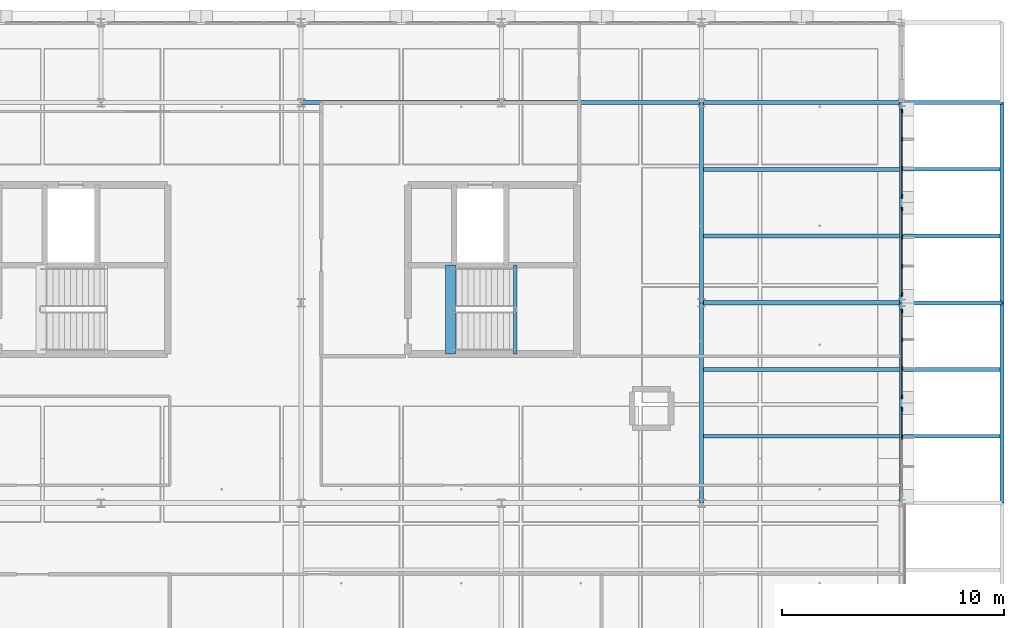
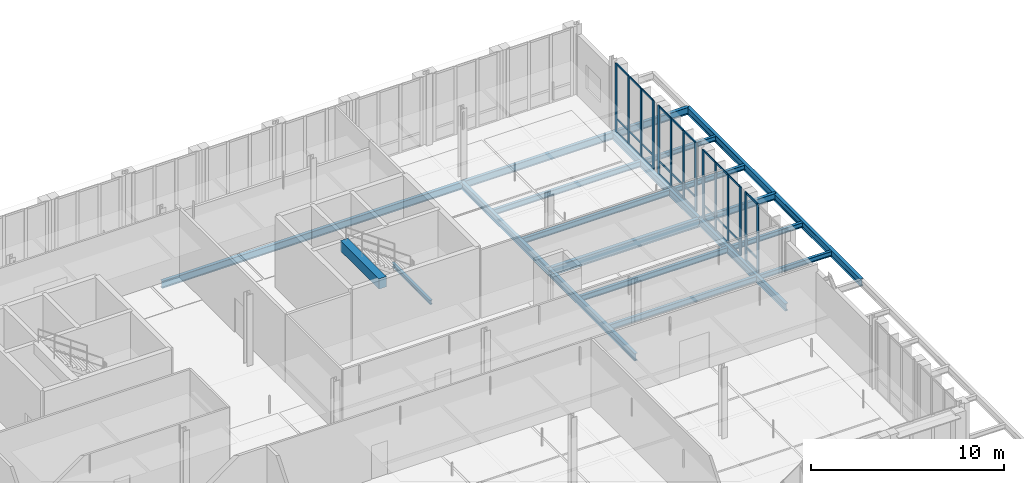
# One storey, part 69 of 140: 44 members, 22 beams, 4 elements without a shape of their own.
"""IFC4 building model written with IfcOpenShell, lengths in metres."""

import ifcopenshell
import ifcopenshell.guid

model = None  # the IFC model being written
_history = None  # IfcOwnerHistory: only IFC2X3 demands one
_inside = {}  # id of a spatial element -> (the spatial element, [elements in it])
_under = {}  # id of a project, library or spatial element -> (it, [spatial elements below it])
_declared = {}  # id of a project -> (the project, [libraries it declares])
_typed = {}  # id of a type object -> (the type object, [elements of that type])
_made_of = {}  # id of a material, layer set ... -> (it, [elements and type objects made of it])


def new_model(schema):
    """Start an empty IFC model of exactly this schema.

    Asked for "IFC4X3", IfcOpenShell would pick the latest addendum, in which some entities
    have other attributes; the version numbers below select the first issue.
    IFC2X3 requires an IfcOwnerHistory on every rooted entity: one is made here for all.
    """
    global model, _history
    if schema == "IFC4X3":
        model = ifcopenshell.file(schema_version=(4, 3, 0, 0))
    else:
        model = ifcopenshell.file(schema=schema)
    _inside.clear()
    _under.clear()
    _declared.clear()
    _typed.clear()
    _made_of.clear()
    _history = None
    if model.schema == "IFC2X3":
        org = make("IfcOrganization", Name="unknown")
        user = make(
            "IfcPersonAndOrganization",
            ThePerson=make("IfcPerson", FamilyName="unknown"),
            TheOrganization=org,
        )
        app = make(
            "IfcApplication",
            ApplicationDeveloper=org,
            Version="unknown",
            ApplicationFullName="unknown",
            ApplicationIdentifier="unknown",
        )
        _history = make(
            "IfcOwnerHistory",
            OwningUser=user,
            OwningApplication=app,
            ChangeAction="ADDED",
            CreationDate=0,
        )
    return model


def make(cls, **values):
    """One entity of the class cls with the attributes given. An attribute that is None is left unset."""
    return model.create_entity(
        cls, **{name: value for name, value in values.items() if value is not None}
    )


def rooted(cls, **values):
    """An entity with a GlobalId (a new one), such as an element, a storey or a relation."""
    return make(cls, GlobalId=ifcopenshell.guid.new(), OwnerHistory=_history, **values)


def si_unit(unit_type, name, prefix=None):
    """IfcSIUnit, for example si_unit("LENGTHUNIT", "METRE", prefix="MILLI")."""
    return make("IfcSIUnit", UnitType=unit_type, Prefix=prefix, Name=name)


def assignment(units):
    """IfcUnitAssignment: the units of a project."""
    return None if units is None else make("IfcUnitAssignment", Units=units)


def point(xyz):
    """IfcCartesianPoint."""
    return None if xyz is None else make("IfcCartesianPoint", Coordinates=xyz)


def direction(xyz):
    """IfcDirection."""
    return None if xyz is None else make("IfcDirection", DirectionRatios=xyz)


def frame(location, z_axis=None, x_axis=None):
    """IfcAxis2Placement3D, a coordinate frame: its origin and axes. An axis left out is left unset."""
    return make(
        "IfcAxis2Placement3D",
        Location=point(location),
        Axis=direction(z_axis),
        RefDirection=direction(x_axis),
    )


def frame_2d(location, x_axis=None):
    """IfcAxis2Placement2D, a coordinate frame in the plane: its origin and x axis."""
    return make(
        "IfcAxis2Placement2D", Location=point(location), RefDirection=direction(x_axis)
    )


def origin():
    """The frame at (0, 0, 0) with its axes left unset."""
    return frame((0.0, 0.0, 0.0))


def origin_2d():
    """The frame at (0, 0) in the plane with its x axis left unset."""
    return frame_2d((0.0, 0.0))


def place(relative_to, where):
    """IfcLocalPlacement: puts the frame where relative to a parent placement (None: the world)."""
    return make(
        "IfcLocalPlacement", PlacementRelTo=relative_to, RelativePlacement=where
    )


def context(
    kind, dimensions, precision=None, world=None, true_north=None, identifier=None
):
    """IfcGeometricRepresentationContext, for example the 3D "Model" context."""
    return make(
        "IfcGeometricRepresentationContext",
        ContextIdentifier=identifier,
        ContextType=kind,
        CoordinateSpaceDimension=dimensions,
        Precision=precision,
        WorldCoordinateSystem=world,
        TrueNorth=true_north,
    )


def subcontext(parent, identifier, kind, view, scale=None):
    """IfcGeometricRepresentationSubContext, for example "Body" below "Model"."""
    return make(
        "IfcGeometricRepresentationSubContext",
        ContextIdentifier=identifier,
        ContextType=kind,
        ParentContext=parent,
        TargetScale=scale,
        TargetView=view,
    )


def project(units=None, contexts=None):
    """IfcProject with its units and contexts."""
    return rooted(
        "IfcProject",
        Name="project",
        RepresentationContexts=contexts,
        UnitsInContext=assignment(units),
    )


def spatial(cls, under=None, at=None, **own):
    """A site, building, storey or space (cls), placed at a placement, below another one or the project."""
    s = rooted(cls, ObjectPlacement=at, **own)
    if under is not None:
        _under.setdefault(under.id(), (under, []))[1].append(s)
    return s


def profile(cls, at=None, kind="AREA", **sizes):
    """A parametric profile (cls). Its sizes go by their IFC names, for example OverallWidth=200.0."""
    return make(cls, ProfileType=kind, Position=at, **sizes)


def rectangle(**sizes):
    """IfcRectangleProfileDef."""
    return profile("IfcRectangleProfileDef", **sizes)


def i_section(**sizes):
    """IfcIShapeProfileDef."""
    return profile("IfcIShapeProfileDef", **sizes)


def extrude(swept, where, along, depth):
    """IfcExtrudedAreaSolid: the profile swept, set in the frame where, extruded along a direction by depth."""
    return make(
        "IfcExtrudedAreaSolid",
        SweptArea=swept,
        Position=where,
        ExtrudedDirection=direction(along),
        Depth=depth,
    )


def shape(context_of_items, identifier, shape_type, items):
    """IfcShapeRepresentation: the items that make up one representation, for example the "Body"."""
    return make(
        "IfcShapeRepresentation",
        ContextOfItems=context_of_items,
        RepresentationIdentifier=identifier,
        RepresentationType=shape_type,
        Items=items,
    )


def material(Name=None, Category=None):
    """IfcMaterial."""
    return make("IfcMaterial", Name=Name, Category=Category)


def material_profile(
    of_material, cross_section, Name=None, Category=None, Priority=None
):
    """IfcMaterialProfile: a cross section and its material."""
    return make(
        "IfcMaterialProfile",
        Name=Name,
        Material=of_material,
        Profile=cross_section,
        Priority=Priority,
        Category=Category,
    )


def profile_set(profiles, Name=None, composite=None):
    """IfcMaterialProfileSet."""
    return make(
        "IfcMaterialProfileSet",
        Name=Name,
        MaterialProfiles=profiles,
        CompositeProfile=composite,
    )


def made_of(thing, what):
    """Note that an element or type object is made of a material, layer set ...; save() writes the relation."""
    if what is not None:
        _made_of.setdefault(what.id(), (what, []))[1].append(thing)
    return thing


def type_object(cls, material=None, **own):
    """A type object (cls), such as IfcWallType, which elements share."""
    return made_of(rooted(cls, **own), material)


def element(
    cls,
    number,
    at=None,
    inside=None,
    cuts=None,
    type_object=None,
    material=None,
    context=None,
    identifier="Body",
    shape_type=None,
    held_by="IfcProductDefinitionShape",
    body=None,
    shapes=None,
    **own,
):
    """One element of the class cls, such as IfcWall. Its Tag is "e" and its number.

    at: its placement. inside: the storey or other place that contains it. cuts: it is an
    opening in that element (IfcRelVoidsElement). A single representation is given by context,
    identifier, shape_type and body (its items); several are given by shapes. held_by: the class
    of the entity that holds the representations. save() writes the other relations.
    """
    e = rooted(cls, Tag="e%d" % number, ObjectPlacement=at, **own)
    if body is not None:
        shapes = [shape(context, identifier, shape_type, body)]
    if shapes is not None:
        e.Representation = make(held_by, Representations=shapes)
    if inside is not None:
        _inside.setdefault(inside.id(), (inside, []))[1].append(e)
    if cuts is not None:
        rooted(
            "IfcRelVoidsElement", RelatingBuildingElement=cuts, RelatedOpeningElement=e
        )
    if type_object is not None:
        _typed.setdefault(type_object.id(), (type_object, []))[1].append(e)
    return made_of(e, material)


def aggregate(whole, parts):
    """IfcRelAggregates: a whole, such as a stair, and the parts it consists of."""
    return rooted("IfcRelAggregates", RelatingObject=whole, RelatedObjects=parts)


def save(model, path):
    """Write the relations noted so far, then the file.

    IfcRelAggregates (storeys below a building ...), IfcRelContainedInSpatialStructure (elements
    in a storey), IfcRelDefinesByType, IfcRelAssociatesMaterial and IfcRelDeclares: one each for
    every whole, place, type object, material and project.
    """
    for whole, parts in _under.values():
        aggregate(whole, parts)
    for where, things in _inside.values():
        rooted(
            "IfcRelContainedInSpatialStructure",
            RelatedElements=things,
            RelatingStructure=where,
        )
    for kind, things in _typed.values():
        rooted("IfcRelDefinesByType", RelatedObjects=things, RelatingType=kind)
    for what, things in _made_of.values():
        rooted("IfcRelAssociatesMaterial", RelatedObjects=things, RelatingMaterial=what)
    for by, libraries in _declared.values():
        rooted("IfcRelDeclares", RelatingContext=by, RelatedDefinitions=libraries)
    model.write(path)


model = new_model("IFC4")

# Units and contexts
model_context = context("Model", 3, precision=1e-05, world=origin(), true_north=direction((0.0, 1.0)))
body_context = subcontext(model_context, "Body", "Model", "MODEL_VIEW")
ifc_project = project(units=[si_unit("LENGTHUNIT", "METRE"), si_unit("AREAUNIT", "SQUARE_METRE"), si_unit("VOLUMEUNIT", "CUBIC_METRE"), si_unit("PLANEANGLEUNIT", "RADIAN"), si_unit("MASSUNIT", "GRAM", prefix="KILO"), si_unit("THERMODYNAMICTEMPERATUREUNIT", "KELVIN"), si_unit("POWERUNIT", "WATT")], contexts=[model_context])

# Site, building, storey
site_placement = place(None, origin())
site = spatial("IfcSite", under=ifc_project, at=site_placement, CompositionType="ELEMENT")
building_placement = place(site_placement, origin())
building = spatial("IfcBuilding", under=site, at=building_placement, Name="Tallowbark Science Centre", CompositionType="ELEMENT")
storey_placement = place(building_placement, frame((0.0, 0.0, 9.89990234375)))
storey = spatial("IfcBuildingStorey", under=building, at=storey_placement, Name="L02", CompositionType="ELEMENT", Elevation=9.89990234375)

# Beams
ifc_material_1 = material(Name="Concrete Grade N40 (40 MPa)", Category="concrete")
ifc_material_profile_1 = material_profile(ifc_material_1, rectangle(XDim=0.449951171875, YDim=0.64990234375, at=origin_2d()), Name="RC450x650")
ifc_profile_set_1 = profile_set([ifc_material_profile_1], Name="Concrete Grade N40 (40 MPa)")
beam_type_1 = type_object("IfcBeamType", Name="BM-GB2-N40", PredefinedType="BEAM", material=ifc_profile_set_1)
beam_1_placement = place(storey_placement, frame((137.2099609375, 96.699951171875, 4.175048828125), z_axis=(0.0, 1.0, 0.0), x_axis=(-1.0, 0.0, 0.0)))
element("IfcBeam", 1, at=beam_1_placement, inside=storey, type_object=beam_type_1, Name="Stair ST-04 Landing Nosing Beam L02", PredefinedType="BEAM", context=body_context, shape_type="SweptSolid", body=[
    extrude(rectangle(XDim=0.449951171875, YDim=0.64990234375, at=origin_2d()), origin(), (0.0, 0.0, 1.0), 3.9951171875),
])
ifc_material_2 = material(Name="Structural Steel Grade 300PLUS (300 MPa)", Category="steel")
ifc_material_profile_2 = material_profile(ifc_material_2, i_section(OverallWidth=0.177734375, OverallDepth=0.406494140625, WebThickness=0.0078125, FlangeThickness=0.0126953125, FilletRadius=0.011474609375, at=origin_2d()), Name="410UB59.7")
ifc_profile_set_2 = profile_set([ifc_material_profile_2], Name="Structural Steel Grade 300PLUS (300 MPa)")
beam_type_2 = type_object("IfcBeamType", Name="BM-UB410", PredefinedType="BEAM", material=ifc_profile_set_2)
beam_2_placement = place(storey_placement, frame((157.5, 99.0, -0.383056640625), z_axis=(1.0, 0.0, 0.0), x_axis=(0.0, 1.0, 0.0)))
element("IfcBeam", 2, at=beam_2_placement, inside=storey, type_object=beam_type_2, Name="Primary Girder GRDX-L02-1575-1620-990", PredefinedType="BEAM", context=body_context, shape_type="SweptSolid", body=[
    extrude(i_section(OverallWidth=0.177734375, OverallDepth=0.406494140625, WebThickness=0.0078125, FlangeThickness=0.0126953125, FilletRadius=0.011474609375, at=origin_2d()), origin(), (0.0, 0.0, 1.0), 4.5),
])
ifc_material_profile_3 = material_profile(ifc_material_2, i_section(OverallWidth=0.208984375, OverallDepth=0.532958984375, WebThickness=0.01025390625, FlangeThickness=0.015625, FilletRadius=0.013916015625, at=origin_2d()), Name="530UB92.4")
ifc_profile_set_3 = profile_set([ifc_material_profile_3], Name="Structural Steel Grade 300PLUS (300 MPa)")
beam_type_3 = type_object("IfcBeamType", Name="BM-UB530A", PredefinedType="BEAM", material=ifc_profile_set_3)
beam_3_placement = place(storey_placement, frame((148.5, 99.0, -0.4462890625), z_axis=(1.0, 0.0, 0.0), x_axis=(0.0, 1.0, 0.0)))
element("IfcBeam", 3, at=beam_3_placement, inside=storey, type_object=beam_type_3, Name="Primary Girder GRDX-L02-1485-1575-990", PredefinedType="BEAM", context=body_context, shape_type="SweptSolid", body=[
    extrude(i_section(OverallWidth=0.208984375, OverallDepth=0.532958984375, WebThickness=0.01025390625, FlangeThickness=0.015625, FilletRadius=0.013916015625, at=origin_2d()), origin(), (0.0, 0.0, 1.0), 9.0),
])

# Curtain wall, members
ifc_material_3 = material(Name="Unitised Thermally Broken Aluminium and Low-E Double Glazing", Category="aluminium")
curtain_wall_type = type_object("IfcCurtainWallType", Name="CW-SYS-FACADE", PredefinedType="NOTDEFINED", material=ifc_material_3)
curtain_wall_1_placement = place(storey_placement, origin())
curtain_wall_1 = element("IfcCurtainWall", 4, at=curtain_wall_1_placement, inside=storey, type_object=curtain_wall_type, Name="Unitised Curtain Wall OBS-E-90A CW-L02-160", PredefinedType="NOTDEFINED")
ifc_material_4 = material(Name="Anodised Architectural Aluminium Alloy 6063-T6", Category="aluminium")
ifc_material_profile_4 = material_profile(ifc_material_4, rectangle(XDim=0.06494140625, YDim=0.179931640625, at=origin_2d()), Name="ALU65x180")
ifc_profile_set_4 = profile_set([ifc_material_profile_4], Name="Anodised Architectural Aluminium Alloy 6063-T6")
member_type_1 = type_object("IfcMemberType", Name="CWM-MUL-220", PredefinedType="MULLION", material=ifc_profile_set_4)
member_1_placement = place(storey_placement, frame((157.5, 92.949951171875, 0.0), z_axis=(0.0, 0.0, 1.0), x_axis=(-1.0, 0.0, 0.0)))
member_1 = element("IfcMember", 5, at=member_1_placement, type_object=member_type_1, Name="CW-01 mullion 3", PredefinedType="MULLION", context=body_context, shape_type="SweptSolid", body=[
    extrude(rectangle(XDim=0.06494140625, YDim=0.179931640625, at=origin_2d()), origin(), (0.0, 0.0, 1.0), 4.320068359375),
])
member_2_placement = place(storey_placement, frame((157.5, 94.217529296875, 0.0), z_axis=(0.0, 0.0, 1.0), x_axis=(-1.0, 0.0, 0.0)))
member_2 = element("IfcMember", 6, at=member_2_placement, type_object=member_type_1, Name="CW-01 mullion 4", PredefinedType="MULLION", context=body_context, shape_type="SweptSolid", body=[
    extrude(rectangle(XDim=0.06494140625, YDim=0.179931640625, at=origin_2d()), origin(), (0.0, 0.0, 1.0), 4.320068359375),
])

curtain_wall_2_placement = place(storey_placement, origin())
curtain_wall_2 = element("IfcCurtainWall", 7, at=curtain_wall_2_placement, inside=storey, type_object=curtain_wall_type, Name="Unitised Curtain Wall OBS-E-90B CW-L02-161", PredefinedType="NOTDEFINED")
member_3_placement = place(storey_placement, frame((157.5, 94.782470703125, 0.0), z_axis=(0.0, 0.0, 1.0), x_axis=(-1.0, 0.0, 0.0)))
member_3 = element("IfcMember", 8, at=member_3_placement, type_object=member_type_1, Name="CW-01 mullion 1", PredefinedType="MULLION", context=body_context, shape_type="SweptSolid", body=[
    extrude(rectangle(XDim=0.06494140625, YDim=0.179931640625, at=origin_2d()), origin(), (0.0, 0.0, 1.0), 4.320068359375),
])
member_4_placement = place(storey_placement, frame((157.5, 96.050048828125, 0.0), z_axis=(0.0, 0.0, 1.0), x_axis=(-1.0, 0.0, 0.0)))
member_4 = element("IfcMember", 9, at=member_4_placement, type_object=member_type_1, Name="CW-01 mullion 2", PredefinedType="MULLION", context=body_context, shape_type="SweptSolid", body=[
    extrude(rectangle(XDim=0.06494140625, YDim=0.179931640625, at=origin_2d()), origin(), (0.0, 0.0, 1.0), 4.320068359375),
])
member_5_placement = place(storey_placement, frame((157.5, 97.35009765625, 0.0), z_axis=(0.0, 0.0, 1.0), x_axis=(-1.0, 0.0, 0.0)))
member_5 = element("IfcMember", 10, at=member_5_placement, type_object=member_type_1, Name="CW-01 mullion 3", PredefinedType="MULLION", context=body_context, shape_type="SweptSolid", body=[
    extrude(rectangle(XDim=0.06494140625, YDim=0.179931640625, at=origin_2d()), origin(), (0.0, 0.0, 1.0), 4.320068359375),
])
member_6_placement = place(storey_placement, frame((157.5, 98.617431640625, 0.0), z_axis=(0.0, 0.0, 1.0), x_axis=(-1.0, 0.0, 0.0)))
member_6 = element("IfcMember", 11, at=member_6_placement, type_object=member_type_1, Name="CW-01 mullion 4", PredefinedType="MULLION", context=body_context, shape_type="SweptSolid", body=[
    extrude(rectangle(XDim=0.06494140625, YDim=0.179931640625, at=origin_2d()), origin(), (0.0, 0.0, 1.0), 4.320068359375),
])

curtain_wall_3_placement = place(storey_placement, origin())
curtain_wall_3 = element("IfcCurtainWall", 12, at=curtain_wall_3_placement, inside=storey, type_object=curtain_wall_type, Name="Unitised Curtain Wall OBS-E-99A CW-L02-162", PredefinedType="NOTDEFINED")
member_7_placement = place(storey_placement, frame((157.5, 99.382568359375, 0.0), z_axis=(0.0, 0.0, 1.0), x_axis=(-1.0, 0.0, 0.0)))
member_7 = element("IfcMember", 13, at=member_7_placement, type_object=member_type_1, Name="CW-01 mullion 1", PredefinedType="MULLION", context=body_context, shape_type="SweptSolid", body=[
    extrude(rectangle(XDim=0.06494140625, YDim=0.179931640625, at=origin_2d()), origin(), (0.0, 0.0, 1.0), 4.320068359375),
])
member_8_placement = place(storey_placement, frame((157.5, 100.64990234375, 0.0), z_axis=(0.0, 0.0, 1.0), x_axis=(-1.0, 0.0, 0.0)))
member_8 = element("IfcMember", 14, at=member_8_placement, type_object=member_type_1, Name="CW-01 mullion 2", PredefinedType="MULLION", context=body_context, shape_type="SweptSolid", body=[
    extrude(rectangle(XDim=0.06494140625, YDim=0.179931640625, at=origin_2d()), origin(), (0.0, 0.0, 1.0), 4.320068359375),
])
member_9_placement = place(storey_placement, frame((157.5, 101.949951171875, 0.0), z_axis=(0.0, 0.0, 1.0), x_axis=(-1.0, 0.0, 0.0)))
member_9 = element("IfcMember", 15, at=member_9_placement, type_object=member_type_1, Name="CW-01 mullion 3", PredefinedType="MULLION", context=body_context, shape_type="SweptSolid", body=[
    extrude(rectangle(XDim=0.06494140625, YDim=0.179931640625, at=origin_2d()), origin(), (0.0, 0.0, 1.0), 4.320068359375),
])
member_10_placement = place(storey_placement, frame((157.5, 103.217529296875, 0.0), z_axis=(0.0, 0.0, 1.0), x_axis=(-1.0, 0.0, 0.0)))
member_10 = element("IfcMember", 16, at=member_10_placement, type_object=member_type_1, Name="CW-01 mullion 4", PredefinedType="MULLION", context=body_context, shape_type="SweptSolid", body=[
    extrude(rectangle(XDim=0.06494140625, YDim=0.179931640625, at=origin_2d()), origin(), (0.0, 0.0, 1.0), 4.320068359375),
])

curtain_wall_4_placement = place(storey_placement, origin())
curtain_wall_4 = element("IfcCurtainWall", 17, at=curtain_wall_4_placement, inside=storey, type_object=curtain_wall_type, Name="Unitised Curtain Wall OBS-E-99B CW-L02-163", PredefinedType="NOTDEFINED")
member_11_placement = place(storey_placement, frame((157.5, 103.782470703125, 0.0), z_axis=(0.0, 0.0, 1.0), x_axis=(-1.0, 0.0, 0.0)))
member_11 = element("IfcMember", 18, at=member_11_placement, type_object=member_type_1, Name="CW-01 mullion 1", PredefinedType="MULLION", context=body_context, shape_type="SweptSolid", body=[
    extrude(rectangle(XDim=0.06494140625, YDim=0.179931640625, at=origin_2d()), origin(), (0.0, 0.0, 1.0), 4.320068359375),
])
member_12_placement = place(storey_placement, frame((157.5, 105.050048828125, 0.0), z_axis=(0.0, 0.0, 1.0), x_axis=(-1.0, 0.0, 0.0)))
member_12 = element("IfcMember", 19, at=member_12_placement, type_object=member_type_1, Name="CW-01 mullion 2", PredefinedType="MULLION", context=body_context, shape_type="SweptSolid", body=[
    extrude(rectangle(XDim=0.06494140625, YDim=0.179931640625, at=origin_2d()), origin(), (0.0, 0.0, 1.0), 4.320068359375),
])
member_13_placement = place(storey_placement, frame((157.5, 106.35009765625, 0.0), z_axis=(0.0, 0.0, 1.0), x_axis=(-1.0, 0.0, 0.0)))
member_13 = element("IfcMember", 20, at=member_13_placement, type_object=member_type_1, Name="CW-01 mullion 3", PredefinedType="MULLION", context=body_context, shape_type="SweptSolid", body=[
    extrude(rectangle(XDim=0.06494140625, YDim=0.179931640625, at=origin_2d()), origin(), (0.0, 0.0, 1.0), 4.320068359375),
])
member_14_placement = place(storey_placement, frame((157.5, 107.617431640625, 0.0), z_axis=(0.0, 0.0, 1.0), x_axis=(-1.0, 0.0, 0.0)))
member_14 = element("IfcMember", 21, at=member_14_placement, type_object=member_type_1, Name="CW-01 mullion 4", PredefinedType="MULLION", context=body_context, shape_type="SweptSolid", body=[
    extrude(rectangle(XDim=0.06494140625, YDim=0.179931640625, at=origin_2d()), origin(), (0.0, 0.0, 1.0), 4.320068359375),
])

# Member
ifc_material_profile_5 = material_profile(ifc_material_4, rectangle(XDim=0.054931640625, YDim=0.1201171875, at=origin_2d()), Name="ALU55x120")
ifc_profile_set_5 = profile_set([ifc_material_profile_5], Name="Anodised Architectural Aluminium Alloy 6063-T6")
member_type_2 = type_object("IfcMemberType", Name="CWM-TRN-150", PredefinedType="USERDEFINED", material=ifc_profile_set_5)
member_15_placement = place(storey_placement, frame((157.5, 92.982421875, 0.027587890625), z_axis=(0.0, 1.0, 0.0), x_axis=(-1.0, 0.0, 0.0)))
member_15 = element("IfcMember", 22, at=member_15_placement, type_object=member_type_2, Name="CW-01 transom 3.1", ObjectType="TRANSOM", PredefinedType="USERDEFINED", context=body_context, shape_type="SweptSolid", body=[
    extrude(rectangle(XDim=0.054931640625, YDim=0.1201171875, at=origin_2d()), origin(), (0.0, 0.0, 1.0), 1.20263671875),
])

member_16_placement = place(storey_placement, frame((157.5, 92.982421875, 0.85009765625), z_axis=(0.0, 1.0, 0.0), x_axis=(-1.0, 0.0, 0.0)))
member_16 = element("IfcMember", 23, at=member_16_placement, type_object=member_type_2, Name="CW-01 transom 3.2", ObjectType="TRANSOM", PredefinedType="USERDEFINED", context=body_context, shape_type="SweptSolid", body=[
    extrude(rectangle(XDim=0.054931640625, YDim=0.1201171875, at=origin_2d()), origin(), (0.0, 0.0, 1.0), 1.20263671875),
])

member_17_placement = place(storey_placement, frame((157.5, 92.982421875, 4.29248046875), z_axis=(0.0, 1.0, 0.0), x_axis=(-1.0, 0.0, 0.0)))
member_17 = element("IfcMember", 24, at=member_17_placement, type_object=member_type_2, Name="CW-01 transom 3.3", ObjectType="TRANSOM", PredefinedType="USERDEFINED", context=body_context, shape_type="SweptSolid", body=[
    extrude(rectangle(XDim=0.054931640625, YDim=0.1201171875, at=origin_2d()), origin(), (0.0, 0.0, 1.0), 1.20263671875),
])

aggregate(curtain_wall_1, [member_1, member_2, member_15, member_16, member_17])

member_18_placement = place(storey_placement, frame((157.5, 94.81494140625, 0.027587890625), z_axis=(0.0, 1.0, 0.0), x_axis=(-1.0, 0.0, 0.0)))
member_18 = element("IfcMember", 25, at=member_18_placement, type_object=member_type_2, Name="CW-01 transom 1.1", ObjectType="TRANSOM", PredefinedType="USERDEFINED", context=body_context, shape_type="SweptSolid", body=[
    extrude(rectangle(XDim=0.054931640625, YDim=0.1201171875, at=origin_2d()), origin(), (0.0, 0.0, 1.0), 1.20263671875),
])

member_19_placement = place(storey_placement, frame((157.5, 94.81494140625, 0.85009765625), z_axis=(0.0, 1.0, 0.0), x_axis=(-1.0, 0.0, 0.0)))
member_19 = element("IfcMember", 26, at=member_19_placement, type_object=member_type_2, Name="CW-01 transom 1.2", ObjectType="TRANSOM", PredefinedType="USERDEFINED", context=body_context, shape_type="SweptSolid", body=[
    extrude(rectangle(XDim=0.054931640625, YDim=0.1201171875, at=origin_2d()), origin(), (0.0, 0.0, 1.0), 1.20263671875),
])

member_20_placement = place(storey_placement, frame((157.5, 94.81494140625, 4.29248046875), z_axis=(0.0, 1.0, 0.0), x_axis=(-1.0, 0.0, 0.0)))
member_20 = element("IfcMember", 27, at=member_20_placement, type_object=member_type_2, Name="CW-01 transom 1.3", ObjectType="TRANSOM", PredefinedType="USERDEFINED", context=body_context, shape_type="SweptSolid", body=[
    extrude(rectangle(XDim=0.054931640625, YDim=0.1201171875, at=origin_2d()), origin(), (0.0, 0.0, 1.0), 1.20263671875),
])

member_21_placement = place(storey_placement, frame((157.5, 96.08251953125, 0.027587890625), z_axis=(0.0, 1.0, 0.0), x_axis=(-1.0, 0.0, 0.0)))
member_21 = element("IfcMember", 28, at=member_21_placement, type_object=member_type_2, Name="CW-01 transom 2.1", ObjectType="TRANSOM", PredefinedType="USERDEFINED", context=body_context, shape_type="SweptSolid", body=[
    extrude(rectangle(XDim=0.054931640625, YDim=0.1201171875, at=origin_2d()), origin(), (0.0, 0.0, 1.0), 1.23486328125),
])

member_22_placement = place(storey_placement, frame((157.5, 96.08251953125, 0.85009765625), z_axis=(0.0, 1.0, 0.0), x_axis=(-1.0, 0.0, 0.0)))
member_22 = element("IfcMember", 29, at=member_22_placement, type_object=member_type_2, Name="CW-01 transom 2.2", ObjectType="TRANSOM", PredefinedType="USERDEFINED", context=body_context, shape_type="SweptSolid", body=[
    extrude(rectangle(XDim=0.054931640625, YDim=0.1201171875, at=origin_2d()), origin(), (0.0, 0.0, 1.0), 1.23486328125),
])

member_23_placement = place(storey_placement, frame((157.5, 96.08251953125, 4.29248046875), z_axis=(0.0, 1.0, 0.0), x_axis=(-1.0, 0.0, 0.0)))
member_23 = element("IfcMember", 30, at=member_23_placement, type_object=member_type_2, Name="CW-01 transom 2.3", ObjectType="TRANSOM", PredefinedType="USERDEFINED", context=body_context, shape_type="SweptSolid", body=[
    extrude(rectangle(XDim=0.054931640625, YDim=0.1201171875, at=origin_2d()), origin(), (0.0, 0.0, 1.0), 1.23486328125),
])

member_24_placement = place(storey_placement, frame((157.5, 97.382568359375, 0.027587890625), z_axis=(0.0, 1.0, 0.0), x_axis=(-1.0, 0.0, 0.0)))
member_24 = element("IfcMember", 31, at=member_24_placement, type_object=member_type_2, Name="CW-01 transom 3.1", ObjectType="TRANSOM", PredefinedType="USERDEFINED", context=body_context, shape_type="SweptSolid", body=[
    extrude(rectangle(XDim=0.054931640625, YDim=0.1201171875, at=origin_2d()), origin(), (0.0, 0.0, 1.0), 1.202392578125),
])

member_25_placement = place(storey_placement, frame((157.5, 97.382568359375, 0.85009765625), z_axis=(0.0, 1.0, 0.0), x_axis=(-1.0, 0.0, 0.0)))
member_25 = element("IfcMember", 32, at=member_25_placement, type_object=member_type_2, Name="CW-01 transom 3.2", ObjectType="TRANSOM", PredefinedType="USERDEFINED", context=body_context, shape_type="SweptSolid", body=[
    extrude(rectangle(XDim=0.054931640625, YDim=0.1201171875, at=origin_2d()), origin(), (0.0, 0.0, 1.0), 1.202392578125),
])

member_26_placement = place(storey_placement, frame((157.5, 97.382568359375, 4.29248046875), z_axis=(0.0, 1.0, 0.0), x_axis=(-1.0, 0.0, 0.0)))
member_26 = element("IfcMember", 33, at=member_26_placement, type_object=member_type_2, Name="CW-01 transom 3.3", ObjectType="TRANSOM", PredefinedType="USERDEFINED", context=body_context, shape_type="SweptSolid", body=[
    extrude(rectangle(XDim=0.054931640625, YDim=0.1201171875, at=origin_2d()), origin(), (0.0, 0.0, 1.0), 1.202392578125),
])

aggregate(curtain_wall_2, [member_3, member_4, member_5, member_6, member_18, member_19, member_20, member_21, member_22, member_23, member_24, member_25, member_26])

member_27_placement = place(storey_placement, frame((157.5, 99.4150390625, 0.027587890625), z_axis=(0.0, 1.0, 0.0), x_axis=(-1.0, 0.0, 0.0)))
member_27 = element("IfcMember", 34, at=member_27_placement, type_object=member_type_2, Name="CW-01 transom 1.1", ObjectType="TRANSOM", PredefinedType="USERDEFINED", context=body_context, shape_type="SweptSolid", body=[
    extrude(rectangle(XDim=0.054931640625, YDim=0.1201171875, at=origin_2d()), origin(), (0.0, 0.0, 1.0), 1.202392578125),
])

member_28_placement = place(storey_placement, frame((157.5, 99.4150390625, 0.85009765625), z_axis=(0.0, 1.0, 0.0), x_axis=(-1.0, 0.0, 0.0)))
member_28 = element("IfcMember", 35, at=member_28_placement, type_object=member_type_2, Name="CW-01 transom 1.2", ObjectType="TRANSOM", PredefinedType="USERDEFINED", context=body_context, shape_type="SweptSolid", body=[
    extrude(rectangle(XDim=0.054931640625, YDim=0.1201171875, at=origin_2d()), origin(), (0.0, 0.0, 1.0), 1.202392578125),
])

member_29_placement = place(storey_placement, frame((157.5, 99.4150390625, 4.29248046875), z_axis=(0.0, 1.0, 0.0), x_axis=(-1.0, 0.0, 0.0)))
member_29 = element("IfcMember", 36, at=member_29_placement, type_object=member_type_2, Name="CW-01 transom 1.3", ObjectType="TRANSOM", PredefinedType="USERDEFINED", context=body_context, shape_type="SweptSolid", body=[
    extrude(rectangle(XDim=0.054931640625, YDim=0.1201171875, at=origin_2d()), origin(), (0.0, 0.0, 1.0), 1.202392578125),
])

member_30_placement = place(storey_placement, frame((157.5, 100.6826171875, 0.027587890625), z_axis=(0.0, 1.0, 0.0), x_axis=(-1.0, 0.0, 0.0)))
member_30 = element("IfcMember", 37, at=member_30_placement, type_object=member_type_2, Name="CW-01 transom 2.1", ObjectType="TRANSOM", PredefinedType="USERDEFINED", context=body_context, shape_type="SweptSolid", body=[
    extrude(rectangle(XDim=0.054931640625, YDim=0.1201171875, at=origin_2d()), origin(), (0.0, 0.0, 1.0), 1.23486328125),
])

member_31_placement = place(storey_placement, frame((157.5, 100.6826171875, 0.85009765625), z_axis=(0.0, 1.0, 0.0), x_axis=(-1.0, 0.0, 0.0)))
member_31 = element("IfcMember", 38, at=member_31_placement, type_object=member_type_2, Name="CW-01 transom 2.2", ObjectType="TRANSOM", PredefinedType="USERDEFINED", context=body_context, shape_type="SweptSolid", body=[
    extrude(rectangle(XDim=0.054931640625, YDim=0.1201171875, at=origin_2d()), origin(), (0.0, 0.0, 1.0), 1.23486328125),
])

member_32_placement = place(storey_placement, frame((157.5, 100.6826171875, 4.29248046875), z_axis=(0.0, 1.0, 0.0), x_axis=(-1.0, 0.0, 0.0)))
member_32 = element("IfcMember", 39, at=member_32_placement, type_object=member_type_2, Name="CW-01 transom 2.3", ObjectType="TRANSOM", PredefinedType="USERDEFINED", context=body_context, shape_type="SweptSolid", body=[
    extrude(rectangle(XDim=0.054931640625, YDim=0.1201171875, at=origin_2d()), origin(), (0.0, 0.0, 1.0), 1.23486328125),
])

member_33_placement = place(storey_placement, frame((157.5, 101.982421875, 0.027587890625), z_axis=(0.0, 1.0, 0.0), x_axis=(-1.0, 0.0, 0.0)))
member_33 = element("IfcMember", 40, at=member_33_placement, type_object=member_type_2, Name="CW-01 transom 3.1", ObjectType="TRANSOM", PredefinedType="USERDEFINED", context=body_context, shape_type="SweptSolid", body=[
    extrude(rectangle(XDim=0.054931640625, YDim=0.1201171875, at=origin_2d()), origin(), (0.0, 0.0, 1.0), 1.20263671875),
])

member_34_placement = place(storey_placement, frame((157.5, 101.982421875, 0.85009765625), z_axis=(0.0, 1.0, 0.0), x_axis=(-1.0, 0.0, 0.0)))
member_34 = element("IfcMember", 41, at=member_34_placement, type_object=member_type_2, Name="CW-01 transom 3.2", ObjectType="TRANSOM", PredefinedType="USERDEFINED", context=body_context, shape_type="SweptSolid", body=[
    extrude(rectangle(XDim=0.054931640625, YDim=0.1201171875, at=origin_2d()), origin(), (0.0, 0.0, 1.0), 1.20263671875),
])

member_35_placement = place(storey_placement, frame((157.5, 101.982421875, 4.29248046875), z_axis=(0.0, 1.0, 0.0), x_axis=(-1.0, 0.0, 0.0)))
member_35 = element("IfcMember", 42, at=member_35_placement, type_object=member_type_2, Name="CW-01 transom 3.3", ObjectType="TRANSOM", PredefinedType="USERDEFINED", context=body_context, shape_type="SweptSolid", body=[
    extrude(rectangle(XDim=0.054931640625, YDim=0.1201171875, at=origin_2d()), origin(), (0.0, 0.0, 1.0), 1.20263671875),
])

aggregate(curtain_wall_3, [member_7, member_8, member_9, member_10, member_27, member_28, member_29, member_30, member_31, member_32, member_33, member_34, member_35])

member_36_placement = place(storey_placement, frame((157.5, 103.81494140625, 0.027587890625), z_axis=(0.0, 1.0, 0.0), x_axis=(-1.0, 0.0, 0.0)))
member_36 = element("IfcMember", 43, at=member_36_placement, type_object=member_type_2, Name="CW-01 transom 1.1", ObjectType="TRANSOM", PredefinedType="USERDEFINED", context=body_context, shape_type="SweptSolid", body=[
    extrude(rectangle(XDim=0.054931640625, YDim=0.1201171875, at=origin_2d()), origin(), (0.0, 0.0, 1.0), 1.20263671875),
])

member_37_placement = place(storey_placement, frame((157.5, 103.81494140625, 0.85009765625), z_axis=(0.0, 1.0, 0.0), x_axis=(-1.0, 0.0, 0.0)))
member_37 = element("IfcMember", 44, at=member_37_placement, type_object=member_type_2, Name="CW-01 transom 1.2", ObjectType="TRANSOM", PredefinedType="USERDEFINED", context=body_context, shape_type="SweptSolid", body=[
    extrude(rectangle(XDim=0.054931640625, YDim=0.1201171875, at=origin_2d()), origin(), (0.0, 0.0, 1.0), 1.20263671875),
])

member_38_placement = place(storey_placement, frame((157.5, 103.81494140625, 4.29248046875), z_axis=(0.0, 1.0, 0.0), x_axis=(-1.0, 0.0, 0.0)))
member_38 = element("IfcMember", 45, at=member_38_placement, type_object=member_type_2, Name="CW-01 transom 1.3", ObjectType="TRANSOM", PredefinedType="USERDEFINED", context=body_context, shape_type="SweptSolid", body=[
    extrude(rectangle(XDim=0.054931640625, YDim=0.1201171875, at=origin_2d()), origin(), (0.0, 0.0, 1.0), 1.20263671875),
])

member_39_placement = place(storey_placement, frame((157.5, 105.08251953125, 0.027587890625), z_axis=(0.0, 1.0, 0.0), x_axis=(-1.0, 0.0, 0.0)))
member_39 = element("IfcMember", 46, at=member_39_placement, type_object=member_type_2, Name="CW-01 transom 2.1", ObjectType="TRANSOM", PredefinedType="USERDEFINED", context=body_context, shape_type="SweptSolid", body=[
    extrude(rectangle(XDim=0.054931640625, YDim=0.1201171875, at=origin_2d()), origin(), (0.0, 0.0, 1.0), 1.23486328125),
])

member_40_placement = place(storey_placement, frame((157.5, 105.08251953125, 0.85009765625), z_axis=(0.0, 1.0, 0.0), x_axis=(-1.0, 0.0, 0.0)))
member_40 = element("IfcMember", 47, at=member_40_placement, type_object=member_type_2, Name="CW-01 transom 2.2", ObjectType="TRANSOM", PredefinedType="USERDEFINED", context=body_context, shape_type="SweptSolid", body=[
    extrude(rectangle(XDim=0.054931640625, YDim=0.1201171875, at=origin_2d()), origin(), (0.0, 0.0, 1.0), 1.23486328125),
])

member_41_placement = place(storey_placement, frame((157.5, 105.08251953125, 4.29248046875), z_axis=(0.0, 1.0, 0.0), x_axis=(-1.0, 0.0, 0.0)))
member_41 = element("IfcMember", 48, at=member_41_placement, type_object=member_type_2, Name="CW-01 transom 2.3", ObjectType="TRANSOM", PredefinedType="USERDEFINED", context=body_context, shape_type="SweptSolid", body=[
    extrude(rectangle(XDim=0.054931640625, YDim=0.1201171875, at=origin_2d()), origin(), (0.0, 0.0, 1.0), 1.23486328125),
])

member_42_placement = place(storey_placement, frame((157.5, 106.382568359375, 0.027587890625), z_axis=(0.0, 1.0, 0.0), x_axis=(-1.0, 0.0, 0.0)))
member_42 = element("IfcMember", 49, at=member_42_placement, type_object=member_type_2, Name="CW-01 transom 3.1", ObjectType="TRANSOM", PredefinedType="USERDEFINED", context=body_context, shape_type="SweptSolid", body=[
    extrude(rectangle(XDim=0.054931640625, YDim=0.1201171875, at=origin_2d()), origin(), (0.0, 0.0, 1.0), 1.202392578125),
])

member_43_placement = place(storey_placement, frame((157.5, 106.382568359375, 0.85009765625), z_axis=(0.0, 1.0, 0.0), x_axis=(-1.0, 0.0, 0.0)))
member_43 = element("IfcMember", 50, at=member_43_placement, type_object=member_type_2, Name="CW-01 transom 3.2", ObjectType="TRANSOM", PredefinedType="USERDEFINED", context=body_context, shape_type="SweptSolid", body=[
    extrude(rectangle(XDim=0.054931640625, YDim=0.1201171875, at=origin_2d()), origin(), (0.0, 0.0, 1.0), 1.202392578125),
])

member_44_placement = place(storey_placement, frame((157.5, 106.382568359375, 4.29248046875), z_axis=(0.0, 1.0, 0.0), x_axis=(-1.0, 0.0, 0.0)))
member_44 = element("IfcMember", 51, at=member_44_placement, type_object=member_type_2, Name="CW-01 transom 3.3", ObjectType="TRANSOM", PredefinedType="USERDEFINED", context=body_context, shape_type="SweptSolid", body=[
    extrude(rectangle(XDim=0.054931640625, YDim=0.1201171875, at=origin_2d()), origin(), (0.0, 0.0, 1.0), 1.202392578125),
])

aggregate(curtain_wall_4, [member_11, member_12, member_13, member_14, member_36, member_37, member_38, member_39, member_40, member_41, member_42, member_43, member_44])

# Beams
ifc_material_profile_6 = material_profile(ifc_material_2, i_section(OverallWidth=0.146484375, OverallDepth=0.256103515625, WebThickness=0.00634765625, FlangeThickness=0.010986328125, FilletRadius=0.0087890625, at=origin_2d()), Name="250UB37.3")
ifc_profile_set_6 = profile_set([ifc_material_profile_6], Name="Structural Steel Grade 300PLUS (300 MPa)")
beam_type_4 = type_object("IfcBeamType", Name="JST-UB250", PredefinedType="JOIST", material=ifc_profile_set_6)
beam_4_placement = place(storey_placement, frame((140.125, 96.699951171875, 1.922119140625), z_axis=(0.0, 1.0, 0.0), x_axis=(-1.0, 0.0, 0.0)))
element("IfcBeam", 52, at=beam_4_placement, inside=storey, type_object=beam_type_4, Name="Stair ST-04 Half-Landing Trimmer L02", PredefinedType="JOIST", context=body_context, shape_type="SweptSolid", body=[
    extrude(i_section(OverallWidth=0.146484375, OverallDepth=0.256103515625, WebThickness=0.00634765625, FlangeThickness=0.010986328125, FilletRadius=0.0087890625, at=origin_2d()), origin(), (0.0, 0.0, 1.0), 3.9951171875),
])
ifc_material_profile_7 = material_profile(ifc_material_2, i_section(OverallWidth=0.166015625, OverallDepth=0.30712890625, WebThickness=0.006591796875, FlangeThickness=0.01171875, FilletRadius=0.011474609375, at=origin_2d()), Name="310UB46.2")
ifc_profile_set_7 = profile_set([ifc_material_profile_7], Name="Structural Steel Grade 300PLUS (300 MPa)")
beam_type_5 = type_object("IfcBeamType", Name="JST-UB310", PredefinedType="JOIST", material=ifc_profile_set_7)
for number, where, z_axis, x_axis, name in (
    (53, (157.5849609375, 93.0, -0.33349609375), (1.0, 0.0, 0.0), (0.0, 1.0, 0.0), "Composite Floor Joist JSTX-L02-1575-930"),
    (54, (157.5849609375, 96.0, -0.33349609375), (1.0, 0.0, 0.0), (0.0, 1.0, 0.0), "Composite Floor Joist JSTX-L02-1575-960"),
    (55, (157.5849609375, 102.0, -0.33349609375), (1.0, 0.0, 0.0), (0.0, 1.0, 0.0), "Composite Floor Joist JSTX-L02-1575-1020"),
    (56, (157.5849609375, 105.0, -0.33349609375), (1.0, 0.0, 0.0), (0.0, 1.0, 0.0), "Composite Floor Joist JSTX-L02-1575-1050"),
):
    element("IfcBeam", number, at=place(storey_placement, frame(where, z_axis=z_axis, x_axis=x_axis)), inside=storey, type_object=beam_type_5, Name=name, PredefinedType="JOIST", context=body_context, shape_type="SweptSolid", body=[
        extrude(i_section(OverallWidth=0.166015625, OverallDepth=0.30712890625, WebThickness=0.006591796875, FlangeThickness=0.01171875, FilletRadius=0.011474609375, at=origin_2d()), origin(), (0.0, 0.0, 1.0), 4.330078125),
    ])
ifc_material_profile_8 = material_profile(ifc_material_2, i_section(OverallWidth=0.172119140625, OverallDepth=0.358642578125, WebThickness=0.008056640625, FlangeThickness=0.012939453125, FilletRadius=0.011474609375, at=origin_2d()), Name="360UB56.7")
ifc_profile_set_8 = profile_set([ifc_material_profile_8], Name="Structural Steel Grade 300PLUS (300 MPa)")
beam_type_6 = type_object("IfcBeamType", Name="JST-UB360", PredefinedType="JOIST", material=ifc_profile_set_8)
for number, where, z_axis, x_axis, name in (
    (57, (148.5849609375, 93.0, -0.359130859375), (1.0, 0.0, 0.0), (0.0, 1.0, 0.0), "Composite Floor Joist JSTX-L02-1485-930"),
    (58, (148.5849609375, 96.0, -0.359130859375), (1.0, 0.0, 0.0), (0.0, 1.0, 0.0), "Composite Floor Joist JSTX-L02-1485-960"),
    (59, (148.5849609375, 102.0, -0.359130859375), (1.0, 0.0, 0.0), (0.0, 1.0, 0.0), "Composite Floor Joist JSTX-L02-1485-1020"),
    (60, (148.5849609375, 105.0, -0.359130859375), (1.0, 0.0, 0.0), (0.0, 1.0, 0.0), "Composite Floor Joist JSTX-L02-1485-1050"),
):
    element("IfcBeam", number, at=place(storey_placement, frame(where, z_axis=z_axis, x_axis=x_axis)), inside=storey, type_object=beam_type_6, Name=name, PredefinedType="JOIST", context=body_context, shape_type="SweptSolid", body=[
        extrude(i_section(OverallWidth=0.172119140625, OverallDepth=0.358642578125, WebThickness=0.008056640625, FlangeThickness=0.012939453125, FilletRadius=0.011474609375, at=origin_2d()), origin(), (0.0, 0.0, 1.0), 8.830078125),
    ])
ifc_material_profile_9 = material_profile(ifc_material_2, i_section(OverallWidth=0.18994140625, OverallDepth=0.453857421875, WebThickness=0.008544921875, FlangeThickness=0.0126953125, FilletRadius=0.011474609375, at=origin_2d()), Name="460UB67.1")
ifc_profile_set_9 = profile_set([ifc_material_profile_9], Name="Structural Steel Grade 300PLUS (300 MPa)")
beam_type_7 = type_object("IfcBeamType", Name="SPN-UB460", PredefinedType="SPANDREL", material=ifc_profile_set_9)
for number, where, z_axis, x_axis, name in (
    (61, (130.5, 108.0, -0.40673828125), (1.0, 0.0, 0.0), (0.0, 1.0, 0.0), "Primary Girder GRDX-L02-1305-1395-1080"),
    (62, (139.5, 108.0, -0.40673828125), (1.0, 0.0, 0.0), (0.0, 1.0, 0.0), "Primary Girder GRDX-L02-1395-1485-1080"),
    (63, (148.5, 108.0, -0.40673828125), (1.0, 0.0, 0.0), (0.0, 1.0, 0.0), "Primary Girder GRDX-L02-1485-1575-1080"),
):
    element("IfcBeam", number, at=place(storey_placement, frame(where, z_axis=z_axis, x_axis=x_axis)), inside=storey, type_object=beam_type_7, Name=name, PredefinedType="SPANDREL", context=body_context, shape_type="SweptSolid", body=[
        extrude(i_section(OverallWidth=0.18994140625, OverallDepth=0.453857421875, WebThickness=0.008544921875, FlangeThickness=0.0126953125, FilletRadius=0.011474609375, at=origin_2d()), origin(), (0.0, 0.0, 1.0), 9.0),
    ])
beam_5_placement = place(storey_placement, frame((157.5, 108.0, -0.40673828125), z_axis=(1.0, 0.0, 0.0), x_axis=(0.0, 1.0, 0.0)))
element("IfcBeam", 64, at=beam_5_placement, inside=storey, type_object=beam_type_7, Name="Primary Girder GRDX-L02-1575-1620-1080", PredefinedType="SPANDREL", context=body_context, shape_type="SweptSolid", body=[
    extrude(i_section(OverallWidth=0.18994140625, OverallDepth=0.453857421875, WebThickness=0.008544921875, FlangeThickness=0.0126953125, FilletRadius=0.011474609375, at=origin_2d()), origin(), (0.0, 0.0, 1.0), 4.5),
])
for number, where, z_axis, x_axis, name in (
    (65, (148.5, 90.0, -0.40673828125), (0.0, 1.0, 0.0), (-1.0, 0.0, 0.0), "Primary Girder GRDY-L02-1485-900-990"),
    (66, (148.5, 99.0, -0.40673828125), (0.0, 1.0, 0.0), (-1.0, 0.0, 0.0), "Primary Girder GRDY-L02-1485-990-1080"),
    (67, (157.5, 90.0, -0.40673828125), (0.0, 1.0, 0.0), (-1.0, 0.0, 0.0), "Primary Girder GRDY-L02-1575-900-990"),
    (68, (157.5, 99.0, -0.40673828125), (0.0, 1.0, 0.0), (-1.0, 0.0, 0.0), "Primary Girder GRDY-L02-1575-990-1080"),
    (69, (162.0, 90.0, -0.40673828125), (0.0, 1.0, 0.0), (-1.0, 0.0, 0.0), "Primary Girder GRDY-L02-1620-900-990"),
    (70, (162.0, 99.0, -0.40673828125), (0.0, 1.0, 0.0), (-1.0, 0.0, 0.0), "Primary Girder GRDY-L02-1620-990-1080"),
):
    element("IfcBeam", number, at=place(storey_placement, frame(where, z_axis=z_axis, x_axis=x_axis)), inside=storey, type_object=beam_type_7, Name=name, PredefinedType="SPANDREL", context=body_context, shape_type="SweptSolid", body=[
        extrude(i_section(OverallWidth=0.18994140625, OverallDepth=0.453857421875, WebThickness=0.008544921875, FlangeThickness=0.0126953125, FilletRadius=0.011474609375, at=origin_2d()), origin(), (0.0, 0.0, 1.0), 9.0),
    ])

save(model, "model.ifc")
